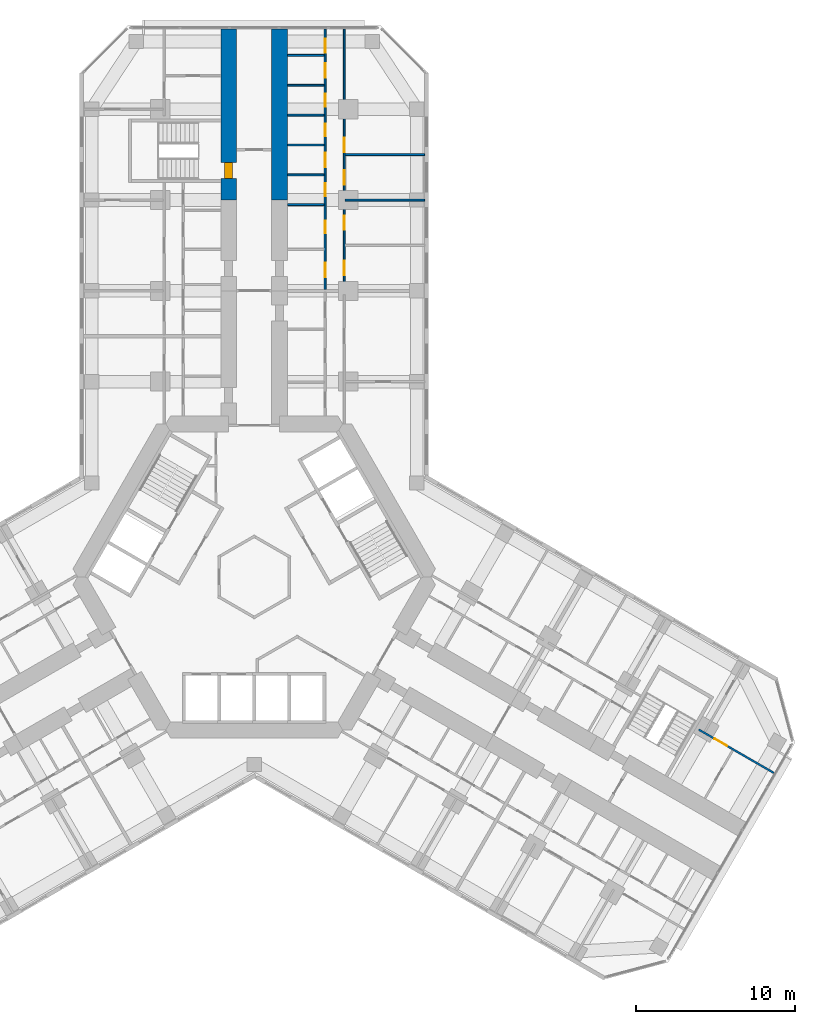
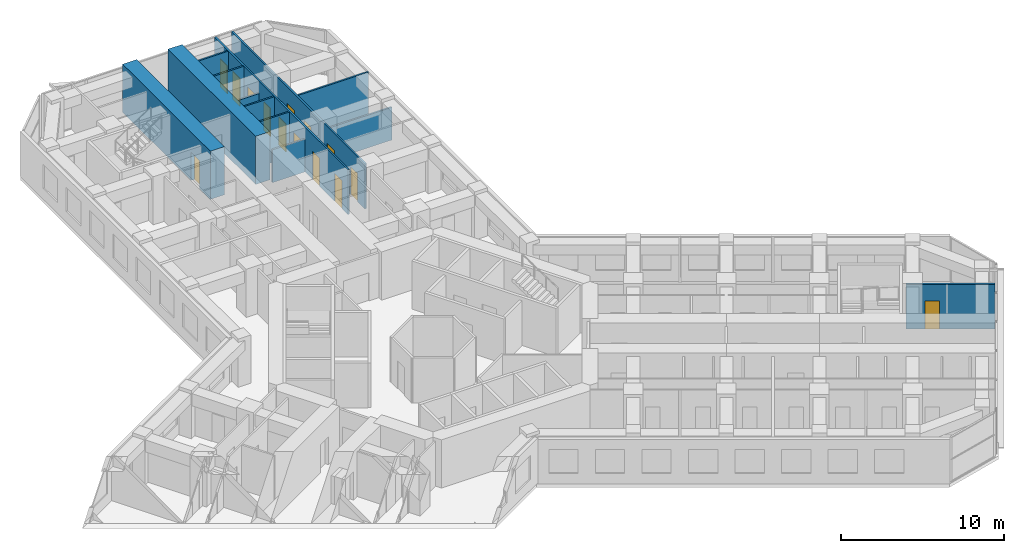
# One storey, part 19 of 21: 14 doors, 13 walls, 14 openings.
"""IFC4 building model written with IfcOpenShell, lengths in metres."""

from ifc_helpers import new_model, si_unit, direction, frame, frame_2d, origin, place, context, subcontext, project, spatial, rectangle, extrude, material, layer, layer_set, type_object, element, fill, save


model = new_model("IFC4")

# Units and contexts
model_context = context("Model", 3, precision=1e-05, world=origin(), true_north=direction((0.0, 1.0)))
body_context = subcontext(model_context, "Body", "Model", "MODEL_VIEW")
ifc_project = project(units=[si_unit("LENGTHUNIT", "METRE"), si_unit("AREAUNIT", "SQUARE_METRE"), si_unit("VOLUMEUNIT", "CUBIC_METRE"), si_unit("PLANEANGLEUNIT", "RADIAN"), si_unit("MASSUNIT", "GRAM", prefix="KILO")], contexts=[model_context])

# Site, building, storey
site_placement = place(None, origin())
site = spatial("IfcSite", under=ifc_project, at=site_placement, CompositionType="ELEMENT")
building_placement = place(site_placement, origin())
building = spatial("IfcBuilding", under=site, at=building_placement, Name="Kosmar Iwan School Tower", CompositionType="ELEMENT")
storey_placement = place(building_placement, frame((0.0, 0.0, 98.800048828125)))
storey = spatial("IfcBuildingStorey", under=building, at=storey_placement, Name="L24", CompositionType="ELEMENT", Elevation=98.800048828125)

# Wall, opening, door
ifc_material_1 = material(Name="Concrete C50/60", Category="concrete")
ifc_layer_1 = layer(ifc_material_1, 1.0)
ifc_layer_set_1 = layer_set([ifc_layer_1], Name="Corridor buttress wall 1000")
wall_type_1 = type_object("IfcWallType", Name="Corridor buttress wall 1000", PredefinedType="SHEAR", material=ifc_layer_set_1)
wall_1_placement = place(storey_placement, frame((-1.60009765625, 23.64990234375, 0.0), z_axis=(0.0, 0.0, 1.0), x_axis=(0.0, 1.0, 0.0)))
wall_1 = element("IfcWall", 1, at=wall_1_placement, inside=storey, type_object=wall_type_1, Name="Corridor wall AL bay 3", PredefinedType="SHEAR", context=body_context, shape_type="SweptSolid", body=[
    extrude(rectangle(XDim=10.7451171875, YDim=1.0, at=frame_2d((5.37255859375, 0.0))), origin(), (0.0, 0.0, 1.0), 3.599853515625),
])
opening_1_placement = place(wall_1_placement, frame((1.35009765625, 0.0, 0.0)))
opening_1 = element("IfcOpeningElement", 2, at=opening_1_placement, cuts=wall_1, Name="Opening D6", PredefinedType="OPENING", context=body_context, shape_type="SweptSolid", body=[
    extrude(rectangle(XDim=1.0, YDim=2.10009765625, at=frame_2d((0.5, 1.050048828125))), frame((0.0, 0.511962890625, 0.0), z_axis=(0.0, -1.0, 0.0), x_axis=(1.0, 0.0, 0.0)), (0.0, 0.0, 1.0), 1.02392578125),
])
ifc_material_2 = material(Name="Steel fire door", Category="steel")
door_type_1 = type_object("IfcDoorType", Name="Stair door 1000x2100", OperationType="SINGLE_SWING_LEFT", PredefinedType="DOOR", material=ifc_material_2)
door_1_placement = place(opening_1_placement, origin())
door_1 = element("IfcDoor", 3, at=door_1_placement, inside=storey, type_object=door_type_1, Name="Stair WS1 door L24", OperationType="SINGLE_SWING_LEFT", OverallHeight=2.10009765625, OverallWidth=1.0, PredefinedType="DOOR", context=body_context, shape_type="SweptSolid", body=[
    extrude(rectangle(XDim=1.0, YDim=2.10009765625, at=frame_2d((0.5, 1.050048828125))), frame((0.0, 0.25, 0.0), z_axis=(0.0, -1.0, 0.0), x_axis=(1.0, 0.0, 0.0)), (0.0, 0.0, 1.0), 0.5),
])
fill(opening_1, door_1)

# Wall
wall_2_placement = place(storey_placement, frame((1.60009765625, 23.64990234375, 0.0), z_axis=(0.0, 0.0, 1.0), x_axis=(0.0, 1.0, 0.0)))
element("IfcWall", 4, at=wall_2_placement, inside=storey, type_object=wall_type_1, Name="Corridor wall AR bay 3", PredefinedType="SHEAR", context=body_context, shape_type="SweptSolid", body=[
    extrude(rectangle(XDim=10.7451171875, YDim=1.0, at=frame_2d((5.37255859375, 0.0))), origin(), (0.0, 0.0, 1.0), 3.599853515625),
])

# Wall, openings, doors
ifc_material_3 = material(Name="Gypsum board on steel studs", Category="steel")
ifc_layer_2 = layer(ifc_material_3, 0.1201171875)
ifc_layer_set_2 = layer_set([ifc_layer_2], Name="Dwelling partition 120")
wall_type_2 = type_object("IfcWallType", Name="Dwelling partition 120", PredefinedType="PARTITIONING", material=ifc_layer_set_2)
wall_3_placement = place(storey_placement, frame((4.449951171875, 18.050048828125, 0.0), z_axis=(0.0, 0.0, 1.0), x_axis=(0.0, 1.0, 0.0)))
wall_3 = element("IfcWall", 5, at=wall_3_placement, inside=storey, type_object=wall_type_2, Name="Partition L24-AR2-W1", PredefinedType="PARTITIONING", context=body_context, shape_type="SweptSolid", body=[
    extrude(rectangle(XDim=16.344970703125, YDim=0.1201171875, at=frame_2d((8.17236328125, 0.0))), origin(), (0.0, 0.0, 1.0), 3.349853515625),
])
opening_2_placement = place(wall_3_placement, frame((0.75, 0.0, 0.0)))
opening_2 = element("IfcOpeningElement", 6, at=opening_2_placement, cuts=wall_3, Name="Opening D2", PredefinedType="OPENING", context=body_context, shape_type="SweptSolid", body=[
    extrude(rectangle(XDim=0.89990234375, YDim=2.10009765625, at=frame_2d((0.449951171875, 1.050048828125))), frame((0.0, 0.072021484375, 0.0), z_axis=(0.0, -1.0, 0.0), x_axis=(1.0, 0.0, 0.0)), (0.0, 0.0, 1.0), 0.14404296875),
])
opening_3_placement = place(wall_3_placement, frame((3.505126953125, 0.0, 0.0)))
opening_3 = element("IfcOpeningElement", 7, at=opening_3_placement, cuts=wall_3, Name="Opening D3", PredefinedType="OPENING", context=body_context, shape_type="SweptSolid", body=[
    extrude(rectangle(XDim=0.800048828125, YDim=2.10009765625, at=frame_2d((0.39990234375, 1.050048828125))), frame((0.0, 0.072021484375, 0.0), z_axis=(0.0, -1.0, 0.0), x_axis=(1.0, 0.0, 0.0)), (0.0, 0.0, 1.0), 0.14404296875),
])
opening_4_placement = place(wall_3_placement, frame((5.8466796875, 0.0, 0.0)))
opening_4 = element("IfcOpeningElement", 8, at=opening_4_placement, cuts=wall_3, Name="Opening D3", PredefinedType="OPENING", context=body_context, shape_type="SweptSolid", body=[
    extrude(rectangle(XDim=0.800048828125, YDim=2.10009765625, at=frame_2d((0.39990234375, 1.050048828125))), frame((0.0, 0.072021484375, 0.0), z_axis=(0.0, -1.0, 0.0), x_axis=(1.0, 0.0, 0.0)), (0.0, 0.0, 1.0), 0.14404296875),
])
opening_5_placement = place(wall_3_placement, frame((7.669921875, 0.0, 0.0)))
opening_5 = element("IfcOpeningElement", 9, at=opening_5_placement, cuts=wall_3, Name="Opening D2", PredefinedType="OPENING", context=body_context, shape_type="SweptSolid", body=[
    extrude(rectangle(XDim=0.89990234375, YDim=2.10009765625, at=frame_2d((0.449951171875, 1.050048828125))), frame((0.0, 0.072021484375, 0.0), z_axis=(0.0, -1.0, 0.0), x_axis=(1.0, 0.0, 0.0)), (0.0, 0.0, 1.0), 0.14404296875),
])
opening_6_placement = place(wall_3_placement, frame((9.59326171875, 0.0, 0.0)))
opening_6 = element("IfcOpeningElement", 10, at=opening_6_placement, cuts=wall_3, Name="Opening D3", PredefinedType="OPENING", context=body_context, shape_type="SweptSolid", body=[
    extrude(rectangle(XDim=0.800048828125, YDim=2.10009765625, at=frame_2d((0.39990234375, 1.050048828125))), frame((0.0, 0.072021484375, 0.0), z_axis=(0.0, -1.0, 0.0), x_axis=(1.0, 0.0, 0.0)), (0.0, 0.0, 1.0), 0.14404296875),
])
opening_7_placement = place(wall_3_placement, frame((11.466796875, 0.0, 0.0)))
opening_7 = element("IfcOpeningElement", 11, at=opening_7_placement, cuts=wall_3, Name="Opening D3", PredefinedType="OPENING", context=body_context, shape_type="SweptSolid", body=[
    extrude(rectangle(XDim=0.800048828125, YDim=2.10009765625, at=frame_2d((0.39990234375, 1.050048828125))), frame((0.0, 0.072021484375, 0.0), z_axis=(0.0, -1.0, 0.0), x_axis=(1.0, 0.0, 0.0)), (0.0, 0.0, 1.0), 0.14404296875),
])
opening_8_placement = place(wall_3_placement, frame((13.2900390625, 0.0, 0.0)))
opening_8 = element("IfcOpeningElement", 12, at=opening_8_placement, cuts=wall_3, Name="Opening D2", PredefinedType="OPENING", context=body_context, shape_type="SweptSolid", body=[
    extrude(rectangle(XDim=0.89990234375, YDim=2.10009765625, at=frame_2d((0.449951171875, 1.050048828125))), frame((0.0, 0.072021484375, 0.0), z_axis=(0.0, -1.0, 0.0), x_axis=(1.0, 0.0, 0.0)), (0.0, 0.0, 1.0), 0.14404296875),
])
opening_9_placement = place(wall_3_placement, frame((14.836669921875, 0.0, 0.0)))
opening_9 = element("IfcOpeningElement", 13, at=opening_9_placement, cuts=wall_3, Name="Opening D2", PredefinedType="OPENING", context=body_context, shape_type="SweptSolid", body=[
    extrude(rectangle(XDim=0.89990234375, YDim=2.10009765625, at=frame_2d((0.449951171875, 1.050048828125))), frame((0.0, 0.072021484375, 0.0), z_axis=(0.0, -1.0, 0.0), x_axis=(1.0, 0.0, 0.0)), (0.0, 0.0, 1.0), 0.14404296875),
])
ifc_material_4 = material(Name="Timber door in timber frame", Category="wood")
door_type_2 = type_object("IfcDoorType", Name="Internal door 900x2100", OperationType="SINGLE_SWING_LEFT", PredefinedType="DOOR", material=ifc_material_4)
door_2_placement = place(opening_2_placement, origin())
door_2 = element("IfcDoor", 14, at=door_2_placement, inside=storey, type_object=door_type_2, Name="Entrance hall door L24-AR2-S1", OperationType="SINGLE_SWING_RIGHT", OverallHeight=2.10009765625, OverallWidth=0.89990234375, PredefinedType="DOOR", context=body_context, shape_type="SweptSolid", body=[
    extrude(rectangle(XDim=0.89990234375, YDim=2.10009765625, at=frame_2d((0.449951171875, 1.050048828125))), frame((0.0, 0.02490234375, 0.0), z_axis=(0.0, -1.0, 0.0), x_axis=(1.0, 0.0, 0.0)), (0.0, 0.0, 1.0), 0.050048828125),
])
fill(opening_2, door_2)
door_3_placement = place(opening_5_placement, origin())
door_3 = element("IfcDoor", 15, at=door_3_placement, inside=storey, type_object=door_type_2, Name="Pantry door L24-AR2-S4", OperationType="SINGLE_SWING_LEFT", OverallHeight=2.10009765625, OverallWidth=0.89990234375, PredefinedType="DOOR", context=body_context, shape_type="SweptSolid", body=[
    extrude(rectangle(XDim=0.89990234375, YDim=2.10009765625, at=frame_2d((0.449951171875, 1.050048828125))), frame((0.0, 0.02490234375, 0.0), z_axis=(0.0, -1.0, 0.0), x_axis=(1.0, 0.0, 0.0)), (0.0, 0.0, 1.0), 0.050048828125),
])
fill(opening_5, door_3)
door_4_placement = place(opening_8_placement, origin())
door_4 = element("IfcDoor", 16, at=door_4_placement, inside=storey, type_object=door_type_2, Name="Utility room door L24-AR2-S7", OperationType="SINGLE_SWING_RIGHT", OverallHeight=2.10009765625, OverallWidth=0.89990234375, PredefinedType="DOOR", context=body_context, shape_type="SweptSolid", body=[
    extrude(rectangle(XDim=0.89990234375, YDim=2.10009765625, at=frame_2d((0.449951171875, 1.050048828125))), frame((0.0, 0.02490234375, 0.0), z_axis=(0.0, -1.0, 0.0), x_axis=(1.0, 0.0, 0.0)), (0.0, 0.0, 1.0), 0.050048828125),
])
fill(opening_8, door_4)
door_5_placement = place(opening_9_placement, origin())
door_5 = element("IfcDoor", 17, at=door_5_placement, inside=storey, type_object=door_type_2, Name="Dressing room door L24-AR2-S8", OperationType="SINGLE_SWING_LEFT", OverallHeight=2.10009765625, OverallWidth=0.89990234375, PredefinedType="DOOR", context=body_context, shape_type="SweptSolid", body=[
    extrude(rectangle(XDim=0.89990234375, YDim=2.10009765625, at=frame_2d((0.449951171875, 1.050048828125))), frame((0.0, 0.02490234375, 0.0), z_axis=(0.0, -1.0, 0.0), x_axis=(1.0, 0.0, 0.0)), (0.0, 0.0, 1.0), 0.050048828125),
])
fill(opening_9, door_5)
ifc_material_5 = material(Name="Timber door in timber frame", Category="wood")
door_type_3 = type_object("IfcDoorType", Name="Sanitary room door 800x2100", OperationType="SINGLE_SWING_LEFT", PredefinedType="DOOR", material=ifc_material_5)
door_6_placement = place(opening_3_placement, origin())
door_6 = element("IfcDoor", 18, at=door_6_placement, inside=storey, type_object=door_type_3, Name="Bathroom door L24-AR2-S2", OperationType="SINGLE_SWING_LEFT", OverallHeight=2.10009765625, OverallWidth=0.800048828125, PredefinedType="DOOR", context=body_context, shape_type="SweptSolid", body=[
    extrude(rectangle(XDim=0.800048828125, YDim=2.10009765625, at=frame_2d((0.39990234375, 1.050048828125))), frame((0.0, 0.02490234375, 0.0), z_axis=(0.0, -1.0, 0.0), x_axis=(1.0, 0.0, 0.0)), (0.0, 0.0, 1.0), 0.050048828125),
])
fill(opening_3, door_6)
door_7_placement = place(opening_4_placement, origin())
door_7 = element("IfcDoor", 19, at=door_7_placement, inside=storey, type_object=door_type_3, Name="Shower room door L24-AR2-S3", OperationType="SINGLE_SWING_RIGHT", OverallHeight=2.10009765625, OverallWidth=0.800048828125, PredefinedType="DOOR", context=body_context, shape_type="SweptSolid", body=[
    extrude(rectangle(XDim=0.800048828125, YDim=2.10009765625, at=frame_2d((0.39990234375, 1.050048828125))), frame((0.0, 0.02490234375, 0.0), z_axis=(0.0, -1.0, 0.0), x_axis=(1.0, 0.0, 0.0)), (0.0, 0.0, 1.0), 0.050048828125),
])
fill(opening_4, door_7)
door_8_placement = place(opening_6_placement, origin())
door_8 = element("IfcDoor", 20, at=door_8_placement, inside=storey, type_object=door_type_3, Name="WC door L24-AR2-S5", OperationType="SINGLE_SWING_RIGHT", OverallHeight=2.10009765625, OverallWidth=0.800048828125, PredefinedType="DOOR", context=body_context, shape_type="SweptSolid", body=[
    extrude(rectangle(XDim=0.800048828125, YDim=2.10009765625, at=frame_2d((0.39990234375, 1.050048828125))), frame((0.0, 0.02490234375, 0.0), z_axis=(0.0, -1.0, 0.0), x_axis=(1.0, 0.0, 0.0)), (0.0, 0.0, 1.0), 0.050048828125),
])
fill(opening_6, door_8)
door_9_placement = place(opening_7_placement, origin())
door_9 = element("IfcDoor", 21, at=door_9_placement, inside=storey, type_object=door_type_3, Name="Store door L24-AR2-S6", OperationType="SINGLE_SWING_LEFT", OverallHeight=2.10009765625, OverallWidth=0.800048828125, PredefinedType="DOOR", context=body_context, shape_type="SweptSolid", body=[
    extrude(rectangle(XDim=0.800048828125, YDim=2.10009765625, at=frame_2d((0.39990234375, 1.050048828125))), frame((0.0, 0.02490234375, 0.0), z_axis=(0.0, -1.0, 0.0), x_axis=(1.0, 0.0, 0.0)), (0.0, 0.0, 1.0), 0.050048828125),
])
fill(opening_7, door_9)

wall_4_placement = place(storey_placement, frame((5.64990234375, 18.050048828125, 0.0), z_axis=(0.0, 0.0, 1.0), x_axis=(0.0, 1.0, 0.0)))
wall_4 = element("IfcWall", 22, at=wall_4_placement, inside=storey, type_object=wall_type_2, Name="Partition L24-AR2-W2", PredefinedType="PARTITIONING", context=body_context, shape_type="SweptSolid", body=[
    extrude(rectangle(XDim=16.344970703125, YDim=0.1201171875, at=frame_2d((8.17236328125, 0.0))), origin(), (0.0, 0.0, 1.0), 3.349853515625),
])
opening_10_placement = place(wall_4_placement, frame((0.875, 0.0, 0.0)))
opening_10 = element("IfcOpeningElement", 23, at=opening_10_placement, cuts=wall_4, Name="Opening D2", PredefinedType="OPENING", context=body_context, shape_type="SweptSolid", body=[
    extrude(rectangle(XDim=0.89990234375, YDim=2.10009765625, at=frame_2d((0.449951171875, 1.050048828125))), frame((0.0, 0.072021484375, 0.0), z_axis=(0.0, -1.0, 0.0), x_axis=(1.0, 0.0, 0.0)), (0.0, 0.0, 1.0), 0.14404296875),
])
opening_11_placement = place(wall_4_placement, frame((3.72509765625, 0.0, 0.0)))
opening_11 = element("IfcOpeningElement", 24, at=opening_11_placement, cuts=wall_4, Name="Opening D2", PredefinedType="OPENING", context=body_context, shape_type="SweptSolid", body=[
    extrude(rectangle(XDim=0.89990234375, YDim=2.10009765625, at=frame_2d((0.449951171875, 1.050048828125))), frame((0.0, 0.072021484375, 0.0), z_axis=(0.0, -1.0, 0.0), x_axis=(1.0, 0.0, 0.0)), (0.0, 0.0, 1.0), 0.14404296875),
])
opening_12_placement = place(wall_4_placement, frame((6.574951171875, 0.0, 0.0)))
opening_12 = element("IfcOpeningElement", 25, at=opening_12_placement, cuts=wall_4, Name="Opening D2", PredefinedType="OPENING", context=body_context, shape_type="SweptSolid", body=[
    extrude(rectangle(XDim=0.89990234375, YDim=2.10009765625, at=frame_2d((0.449951171875, 1.050048828125))), frame((0.0, 0.072021484375, 0.0), z_axis=(0.0, -1.0, 0.0), x_axis=(1.0, 0.0, 0.0)), (0.0, 0.0, 1.0), 0.14404296875),
])
opening_13_placement = place(wall_4_placement, frame((8.610107421875, 0.0, 0.0)))
opening_13 = element("IfcOpeningElement", 26, at=opening_13_placement, cuts=wall_4, Name="Opening D2", PredefinedType="OPENING", context=body_context, shape_type="SweptSolid", body=[
    extrude(rectangle(XDim=0.89990234375, YDim=2.10009765625, at=frame_2d((0.449951171875, 1.050048828125))), frame((0.0, 0.072021484375, 0.0), z_axis=(0.0, -1.0, 0.0), x_axis=(1.0, 0.0, 0.0)), (0.0, 0.0, 1.0), 0.14404296875),
])
door_10_placement = place(opening_10_placement, origin())
door_10 = element("IfcDoor", 27, at=door_10_placement, inside=storey, type_object=door_type_2, Name="Bedroom 2 door L24-AR2-F1", OperationType="SINGLE_SWING_LEFT", OverallHeight=2.10009765625, OverallWidth=0.89990234375, PredefinedType="DOOR", context=body_context, shape_type="SweptSolid", body=[
    extrude(rectangle(XDim=0.89990234375, YDim=2.10009765625, at=frame_2d((0.449951171875, 1.050048828125))), frame((0.0, 0.02490234375, 0.0), z_axis=(0.0, -1.0, 0.0), x_axis=(1.0, 0.0, 0.0)), (0.0, 0.0, 1.0), 0.050048828125),
])
fill(opening_10, door_10)
door_11_placement = place(opening_11_placement, origin())
door_11 = element("IfcDoor", 28, at=door_11_placement, inside=storey, type_object=door_type_2, Name="Bedroom 1 door L24-AR2-F2", OperationType="SINGLE_SWING_LEFT", OverallHeight=2.10009765625, OverallWidth=0.89990234375, PredefinedType="DOOR", context=body_context, shape_type="SweptSolid", body=[
    extrude(rectangle(XDim=0.89990234375, YDim=2.10009765625, at=frame_2d((0.449951171875, 1.050048828125))), frame((0.0, 0.02490234375, 0.0), z_axis=(0.0, -1.0, 0.0), x_axis=(1.0, 0.0, 0.0)), (0.0, 0.0, 1.0), 0.050048828125),
])
fill(opening_11, door_11)
door_12_placement = place(opening_12_placement, origin())
door_12 = element("IfcDoor", 29, at=door_12_placement, inside=storey, type_object=door_type_2, Name="Winter garden door L24-AR2-F3", OperationType="SINGLE_SWING_LEFT", OverallHeight=2.10009765625, OverallWidth=0.89990234375, PredefinedType="DOOR", context=body_context, shape_type="SweptSolid", body=[
    extrude(rectangle(XDim=0.89990234375, YDim=2.10009765625, at=frame_2d((0.449951171875, 1.050048828125))), frame((0.0, 0.02490234375, 0.0), z_axis=(0.0, -1.0, 0.0), x_axis=(1.0, 0.0, 0.0)), (0.0, 0.0, 1.0), 0.050048828125),
])
fill(opening_12, door_12)
door_13_placement = place(opening_13_placement, origin())
door_13 = element("IfcDoor", 30, at=door_13_placement, inside=storey, type_object=door_type_2, Name="Living room and kitchen door L24-AR2-F4", OperationType="SINGLE_SWING_RIGHT", OverallHeight=2.10009765625, OverallWidth=0.89990234375, PredefinedType="DOOR", context=body_context, shape_type="SweptSolid", body=[
    extrude(rectangle(XDim=0.89990234375, YDim=2.10009765625, at=frame_2d((0.449951171875, 1.050048828125))), frame((0.0, 0.02490234375, 0.0), z_axis=(0.0, -1.0, 0.0), x_axis=(1.0, 0.0, 0.0)), (0.0, 0.0, 1.0), 0.050048828125),
])
fill(opening_13, door_13)

# Walls
wall_5_placement = place(storey_placement, frame((5.7099609375, 23.64990234375, 0.0), z_axis=(0.0, 0.0, 1.0), x_axis=(1.0, 0.0, 0.0)))
element("IfcWall", 31, at=wall_5_placement, inside=storey, type_object=wall_type_2, Name="Partition L24-AR2-X2", PredefinedType="PARTITIONING", context=body_context, shape_type="SweptSolid", body=[
    extrude(rectangle(XDim=4.989990234375, YDim=0.1201171875, at=frame_2d((2.4951171875, 0.0))), origin(), (0.0, 0.0, 1.0), 2.449951171875),
])
wall_6_placement = place(storey_placement, frame((5.7099609375, 26.5, 0.0), z_axis=(0.0, 0.0, 1.0), x_axis=(1.0, 0.0, 0.0)))
element("IfcWall", 32, at=wall_6_placement, inside=storey, type_object=wall_type_2, Name="Partition L24-AR2-X3", PredefinedType="PARTITIONING", context=body_context, shape_type="SweptSolid", body=[
    extrude(rectangle(XDim=4.989990234375, YDim=0.1201171875, at=frame_2d((2.4951171875, 0.0))), origin(), (0.0, 0.0, 1.0), 3.349853515625),
])
wall_7_placement = place(storey_placement, frame((2.10009765625, 23.360107421875, 0.0), z_axis=(0.0, 0.0, 1.0), x_axis=(1.0, 0.0, 0.0)))
element("IfcWall", 33, at=wall_7_placement, inside=storey, type_object=wall_type_2, Name="Partition L24-AR2-Y2", PredefinedType="PARTITIONING", context=body_context, shape_type="SweptSolid", body=[
    extrude(rectangle(XDim=2.289794921875, YDim=0.1201171875, at=frame_2d((1.14501953125, 0.0))), origin(), (0.0, 0.0, 1.0), 2.449951171875),
])
for number, where, z_axis, x_axis, name in (
    (34, (2.10009765625, 25.2333984375, 0.0), (0.0, 0.0, 1.0), (1.0, 0.0, 0.0), "Partition L24-AR2-Y3"),
    (35, (2.10009765625, 27.106689453125, 0.0), (0.0, 0.0, 1.0), (1.0, 0.0, 0.0), "Partition L24-AR2-Y4"),
):
    element("IfcWall", number, at=place(storey_placement, frame(where, z_axis=z_axis, x_axis=x_axis)), inside=storey, type_object=wall_type_2, Name=name, PredefinedType="PARTITIONING", context=body_context, shape_type="SweptSolid", body=[
        extrude(rectangle(XDim=2.289794921875, YDim=0.1201171875, at=frame_2d((1.14501953125, 0.0))), origin(), (0.0, 0.0, 1.0), 3.349853515625),
    ])
wall_8_placement = place(storey_placement, frame((2.10009765625, 28.97998046875, 0.0), z_axis=(0.0, 0.0, 1.0), x_axis=(1.0, 0.0, 0.0)))
element("IfcWall", 36, at=wall_8_placement, inside=storey, type_object=wall_type_2, Name="Partition L24-AR2-Y5", PredefinedType="PARTITIONING", context=body_context, shape_type="SweptSolid", body=[
    extrude(rectangle(XDim=2.289794921875, YDim=0.1201171875, at=frame_2d((1.14501953125, 0.0))), origin(), (0.0, 0.0, 1.0), 2.449951171875),
])
for number, where, z_axis, x_axis, name in (
    (37, (2.10009765625, 30.853271484375, 0.0), (0.0, 0.0, 1.0), (1.0, 0.0, 0.0), "Partition L24-AR2-Y6"),
    (38, (2.10009765625, 32.7265625, 0.0), (0.0, 0.0, 1.0), (1.0, 0.0, 0.0), "Partition L24-AR2-Y7"),
):
    element("IfcWall", number, at=place(storey_placement, frame(where, z_axis=z_axis, x_axis=x_axis)), inside=storey, type_object=wall_type_2, Name=name, PredefinedType="PARTITIONING", context=body_context, shape_type="SweptSolid", body=[
        extrude(rectangle(XDim=2.289794921875, YDim=0.1201171875, at=frame_2d((1.14501953125, 0.0))), origin(), (0.0, 0.0, 1.0), 3.349853515625),
    ])

# Wall, opening, door
wall_9_placement = place(storey_placement, frame((27.896484375, -9.58203125, 0.0), z_axis=(0.0, 0.0, 1.0), x_axis=(0.866035508231, -0.499982498177, 0.0)))
wall_9 = element("IfcWall", 39, at=wall_9_placement, inside=storey, type_object=wall_type_2, Name="Partition L24-CL2-TW", PredefinedType="PARTITIONING", context=body_context, shape_type="SweptSolid", body=[
    extrude(rectangle(XDim=5.445068359375, YDim=0.1201171875, at=frame_2d((2.72265625, 0.0))), origin(), (0.0, 0.0, 1.0), 3.349853515625),
])
opening_14_placement = place(wall_9_placement, frame((1.14990234375, 0.0, 0.0)))
opening_14 = element("IfcOpeningElement", 40, at=opening_14_placement, cuts=wall_9, Name="Opening D2", PredefinedType="OPENING", context=body_context, shape_type="SweptSolid", body=[
    extrude(rectangle(XDim=0.89990234375, YDim=2.10009765625, at=frame_2d((0.449951171875, 1.050048828125))), frame((0.0, 0.072021484375, 0.0), z_axis=(0.0, -1.0, 0.0), x_axis=(1.0, 0.0, 0.0)), (0.0, 0.0, 1.0), 0.14404296875),
])
door_14_placement = place(opening_14_placement, origin())
door_14 = element("IfcDoor", 41, at=door_14_placement, inside=storey, type_object=door_type_2, Name="Dressing room door L24-CL2-T3", OperationType="SINGLE_SWING_LEFT", OverallHeight=2.10009765625, OverallWidth=0.89990234375, PredefinedType="DOOR", context=body_context, shape_type="SweptSolid", body=[
    extrude(rectangle(XDim=0.89990234375, YDim=2.10009765625, at=frame_2d((0.449951171875, 1.050048828125))), frame((0.0, 0.02490234375, 0.0), z_axis=(0.0, -1.0, 0.0), x_axis=(1.0, 0.0, 0.0)), (0.0, 0.0, 1.0), 0.050048828125),
])
fill(opening_14, door_14)

save(model, "model.ifc")
